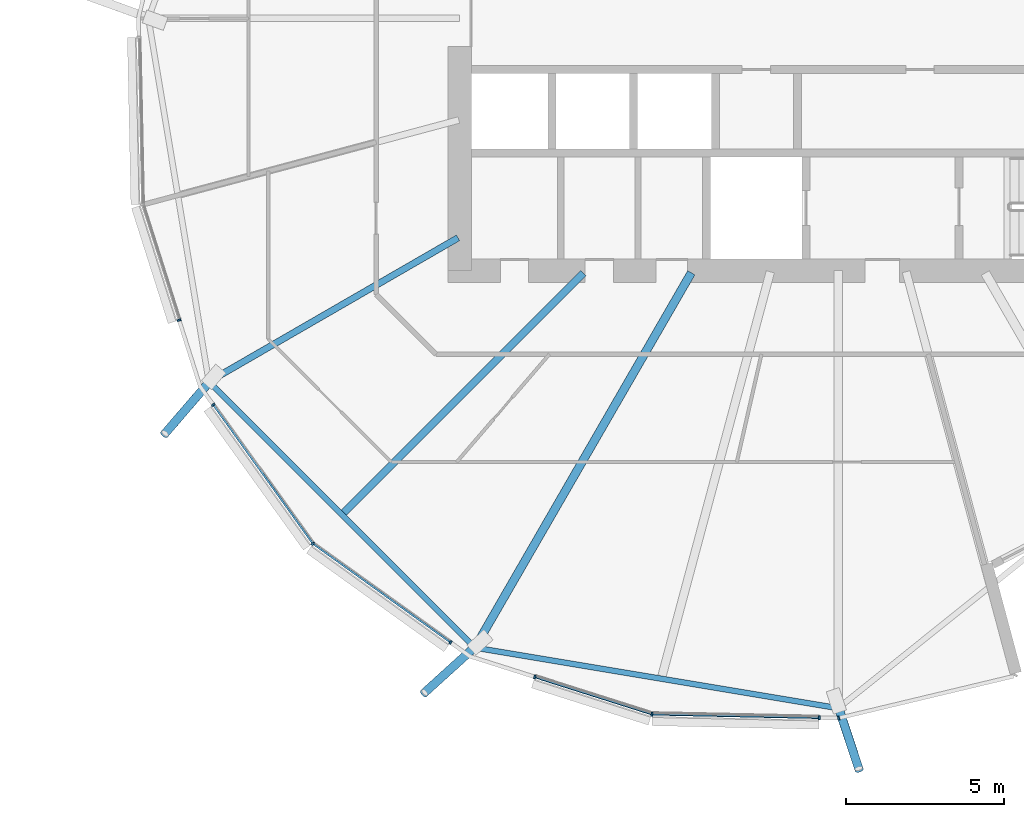
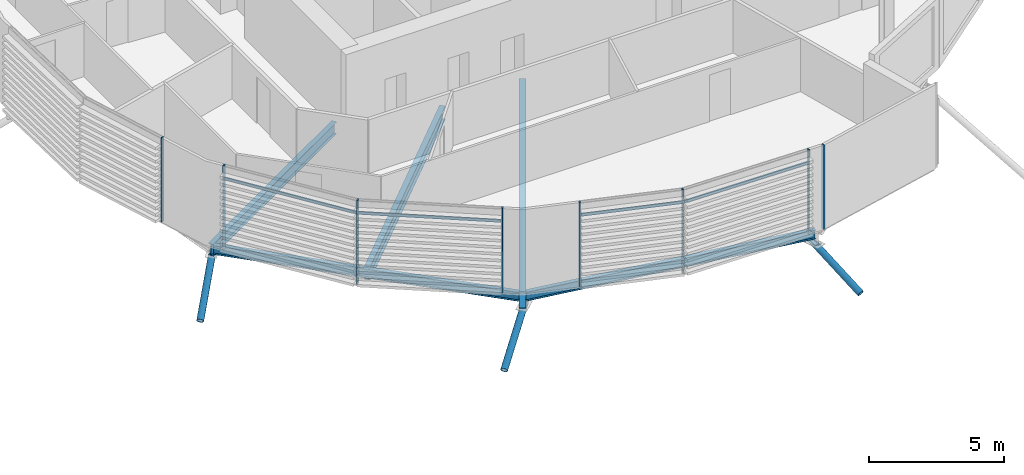
# One storey, part 11 of 39: 15 members, 5 beams, 1 element without a shape of its own.
"""IFC4 building model written with IfcOpenShell, lengths in metres."""

from ifc_helpers import new_model, si_unit, direction, frame, origin, origin_2d, place, context, subcontext, project, spatial, rectangle, hollow_circle, i_section, extrude, clip, halfspace, material, material_profile, profile_set, type_object, element, aggregate, save


model = new_model("IFC4")

# Units and contexts
model_context = context("Model", 3, precision=1e-05, world=origin(), true_north=direction((0.0, 1.0)))
body_context = subcontext(model_context, "Body", "Model", "MODEL_VIEW")
ifc_project = project(units=[si_unit("LENGTHUNIT", "METRE"), si_unit("AREAUNIT", "SQUARE_METRE"), si_unit("VOLUMEUNIT", "CUBIC_METRE"), si_unit("PLANEANGLEUNIT", "RADIAN"), si_unit("MASSUNIT", "GRAM", prefix="KILO")], contexts=[model_context])

# Site, building, storey
site_placement = place(None, origin())
site = spatial("IfcSite", under=ifc_project, at=site_placement, CompositionType="ELEMENT")
building_placement = place(site_placement, origin())
building = spatial("IfcBuilding", under=site, at=building_placement, Name="Rimbun Link Towers", CompositionType="ELEMENT")
storey_placement = place(building_placement, frame((0.0, 0.0, 96.800048828125)))
storey = spatial("IfcBuildingStorey", under=building, at=storey_placement, Name="L23", CompositionType="ELEMENT", Elevation=96.800048828125)

# Curtain wall, members
ifc_material_1 = material(Name="Aluminium 6063-T6 and low-iron glass", Category="aluminium")
curtain_wall_type = type_object("IfcCurtainWallType", Name="CW1-Z2 unitised vision wall (zone 2)", PredefinedType="NOTDEFINED", material=ifc_material_1)
curtain_wall_placement = place(storey_placement, origin())
curtain_wall = element("IfcCurtainWall", 1, at=curtain_wall_placement, inside=storey, type_object=curtain_wall_type, Name="CW1 L23 T2", PredefinedType="NOTDEFINED")
ifc_material_2 = material(Name="Aluminium 6063-T6", Category="aluminium")
ifc_material_profile_1 = material_profile(ifc_material_2, rectangle(XDim=0.1201171875, YDim=0.06005859375, at=origin_2d()), Name="MULLION 60X120")
ifc_profile_set_1 = profile_set([ifc_material_profile_1], Name="Aluminium 6063-T6")
member_type_1 = type_object("IfcMemberType", Name="CW1 mullion 60X120", PredefinedType="MULLION", material=ifc_profile_set_1)
member_1_placement = place(storey_placement, frame((10.8505859375, -9.570068359375, 0.0), z_axis=(0.0, 0.0, 1.0), x_axis=(-0.952969504125, -0.30306620433, 0.0)))
member_1 = element("IfcMember", 2, at=member_1_placement, type_object=member_type_1, Name="CW1 mullion", PredefinedType="MULLION", context=body_context, shape_type="SweptSolid", body=[
    extrude(rectangle(XDim=0.1201171875, YDim=0.06005859375, at=origin_2d()), origin(), (0.0, 0.0, 1.0), 3.800048828125),
])
member_2_placement = place(storey_placement, frame((15.094482421875, -16.655517578125, 0.0), z_axis=(0.0, 0.0, 1.0), x_axis=(-0.707106781187, -0.707106781187, 0.0)))
member_2 = element("IfcMember", 3, at=member_2_placement, type_object=member_type_1, Name="CW1 mullion", PredefinedType="MULLION", context=body_context, shape_type="SweptSolid", body=[
    extrude(rectangle(XDim=0.1201171875, YDim=0.06005859375, at=origin_2d()), origin(), (0.0, 0.0, 1.0), 3.800048828125),
])
member_3_placement = place(storey_placement, frame((11.933837890625, -12.251953125, 0.0), z_axis=(0.0, 0.0, 1.0), x_axis=(-0.812471013588, -0.583001588402, 0.0)))
member_3 = element("IfcMember", 4, at=member_3_placement, type_object=member_type_1, Name="CW1 mullion", PredefinedType="MULLION", context=body_context, shape_type="SweptSolid", body=[
    extrude(rectangle(XDim=0.1201171875, YDim=0.06005859375, at=origin_2d()), origin(), (0.0, 0.0, 1.0), 3.800048828125),
])
member_4_placement = place(storey_placement, frame((19.457275390625, -19.787109375, 0.0), z_axis=(0.0, 0.0, 1.0), x_axis=(-0.583001588402, -0.812471013588, 0.0)))
member_4 = element("IfcMember", 5, at=member_4_placement, type_object=member_type_1, Name="CW1 mullion", PredefinedType="MULLION", context=body_context, shape_type="SweptSolid", body=[
    extrude(rectangle(XDim=0.1201171875, YDim=0.06005859375, at=origin_2d()), origin(), (0.0, 0.0, 1.0), 3.800048828125),
])
member_5_placement = place(storey_placement, frame((25.843994140625, -22.06396484375, 0.0), z_axis=(0.0, 0.0, 1.0), x_axis=(-0.16374422533, -0.986502827503, 0.0)))
member_5 = element("IfcMember", 6, at=member_5_placement, type_object=member_type_1, Name="CW1 mullion", PredefinedType="MULLION", context=body_context, shape_type="SweptSolid", body=[
    extrude(rectangle(XDim=0.1201171875, YDim=0.06005859375, at=origin_2d()), origin(), (0.0, 0.0, 1.0), 3.800048828125),
])
member_6_placement = place(storey_placement, frame((22.13232421875, -20.88427734375, 0.0), z_axis=(0.0, 0.0, 1.0), x_axis=(-0.30306620433, -0.952969504125, 0.0)))
member_6 = element("IfcMember", 7, at=member_6_placement, type_object=member_type_1, Name="CW1 mullion", PredefinedType="MULLION", context=body_context, shape_type="SweptSolid", body=[
    extrude(rectangle(XDim=0.1201171875, YDim=0.06005859375, at=origin_2d()), origin(), (0.0, 0.0, 1.0), 3.800048828125),
])
member_7_placement = place(storey_placement, frame((31.14892578125, -22.17626953125, 0.0), z_axis=(0.0, 0.0, 1.0), x_axis=(-0.021059742681, -0.999778219026, 0.0)))
member_7 = element("IfcMember", 8, at=member_7_placement, type_object=member_type_1, Name="CW1 mullion", PredefinedType="MULLION", context=body_context, shape_type="SweptSolid", body=[
    extrude(rectangle(XDim=0.1201171875, YDim=0.06005859375, at=origin_2d()), origin(), (0.0, 0.0, 1.0), 3.800048828125),
])
member_8_placement = place(storey_placement, frame((31.763916015625, -22.187255859375, 0.0), z_axis=(0.0, 0.0, 1.0), x_axis=(0.232601207201, -0.972572197016, 0.0)))
member_8 = element("IfcMember", 9, at=member_8_placement, type_object=member_type_1, Name="CW1 mullion", PredefinedType="MULLION", context=body_context, shape_type="SweptSolid", body=[
    extrude(rectangle(XDim=0.1201171875, YDim=0.06005859375, at=origin_2d()), origin(), (0.0, 0.0, 1.0), 3.800048828125),
])
ifc_material_3 = material(Name="Aluminium 6063-T6", Category="aluminium")
ifc_material_profile_2 = material_profile(ifc_material_3, rectangle(XDim=0.06005859375, YDim=0.1201171875, at=origin_2d()), Name="TRANSOM 60X120")
ifc_profile_set_2 = profile_set([ifc_material_profile_2], Name="Aluminium 6063-T6")
member_type_2 = type_object("IfcMemberType", Name="CW1 transom 60X120", PredefinedType="USERDEFINED", material=ifc_profile_set_2)
member_9_placement = place(storey_placement, frame((15.072265625, -16.62255859375, 3.199951171875), z_axis=(-0.58298056367, 0.812486099809, 0.0), x_axis=(-0.812486099809, -0.58298056367, 0.0)))
member_9 = element("IfcMember", 10, at=member_9_placement, type_object=member_type_2, Name="CW1 transom", ObjectType="TRANSOM", PredefinedType="USERDEFINED", context=body_context, shape_type="SweptSolid", body=[
    extrude(rectangle(XDim=0.06005859375, YDim=0.1201171875, at=origin_2d()), origin(), (0.0, 0.0, 1.0), 5.350830078125),
])
member_10_placement = place(storey_placement, frame((19.43408203125, -19.767822265625, 3.199951171875), z_axis=(-0.812489874561, 0.582975302852, 0.0), x_axis=(-0.582975302852, -0.812489874561, 0.0)))
member_10 = element("IfcMember", 11, at=member_10_placement, type_object=member_type_2, Name="CW1 transom", ObjectType="TRANSOM", PredefinedType="USERDEFINED", context=body_context, shape_type="SweptSolid", body=[
    extrude(rectangle(XDim=0.06005859375, YDim=0.1201171875, at=origin_2d()), origin(), (0.0, 0.0, 1.0), 5.300537109375),
])
member_11_placement = place(storey_placement, frame((25.8076171875, -22.051025390625, 3.199951171875), z_axis=(-0.952957620536, 0.303103568873, 0.0), x_axis=(-0.303103568873, -0.952957620536, 0.0)))
member_11 = element("IfcMember", 12, at=member_11_placement, type_object=member_type_2, Name="CW1 transom", ObjectType="TRANSOM", PredefinedType="USERDEFINED", context=body_context, shape_type="SweptSolid", body=[
    extrude(rectangle(XDim=0.06005859375, YDim=0.1201171875, at=origin_2d()), origin(), (0.0, 0.0, 1.0), 3.825927734375),
])
member_12_placement = place(storey_placement, frame((31.118896484375, -22.173828125, 3.199951171875), z_axis=(-0.999778012438, 0.021069547819, 0.0), x_axis=(-0.021069547819, -0.999778012438, 0.0)))
member_12 = element("IfcMember", 13, at=member_12_placement, type_object=member_type_2, Name="CW1 transom", ObjectType="TRANSOM", PredefinedType="USERDEFINED", context=body_context, shape_type="SweptSolid", body=[
    extrude(rectangle(XDim=0.06005859375, YDim=0.1201171875, at=origin_2d()), origin(), (0.0, 0.0, 1.0), 5.237548828125),
])
aggregate(curtain_wall, [member_1, member_2, member_3, member_4, member_5, member_6, member_7, member_8, member_9, member_10, member_11, member_12])

# Members
ifc_material_4 = material(Name="Steel S355J2H", Category="steel")
ifc_material_profile_3 = material_profile(ifc_material_4, hollow_circle(Radius=0.136474609375, WallThickness=0.012451171875, at=origin_2d()), Name="CHS 273x12.5")
ifc_profile_set_3 = profile_set([ifc_material_profile_3], Name="Steel S355J2H")
member_type_3 = type_object("IfcMemberType", Name="Floor edge link CHS 273x12.5", PredefinedType="BRACE", material=ifc_profile_set_3)
member_13_placement = place(storey_placement, frame((11.839599609375, -11.495361328125, -0.810546875), z_axis=(-0.562837341825, -0.653887322498, -0.505613979359), x_axis=(0.757901919763, -0.652368515503, 0.0)))
element("IfcMember", 14, at=member_13_placement, inside=storey, type_object=member_type_3, Name="Floor edge link T2 L23 11", PredefinedType="BRACE", context=body_context, shape_type="Clipping", body=[
    clip(extrude(hollow_circle(Radius=0.136474609375, WallThickness=0.012451171875, at=origin_2d()), frame((0.0, 0.0, -0.485595703125)), (0.0, 0.0, 1.0), 3.083984375), halfspace(frame((0.0, 0.0, -0.228271484375), z_axis=(0.0, 0.862759818186, -0.505613979359)), False)),
])
member_14_placement = place(storey_placement, frame((20.254638671875, -19.910400390625, -1.041748046875), z_axis=(-0.65106962362, -0.589911456313, -0.477611577446), x_axis=(0.671444183673, -0.741055131695, 0.0)))
element("IfcMember", 15, at=member_14_placement, inside=storey, type_object=member_type_3, Name="Floor edge link T2 L23 13", PredefinedType="BRACE", context=body_context, shape_type="Clipping", body=[
    clip(extrude(hollow_circle(Radius=0.136474609375, WallThickness=0.012451171875, at=origin_2d()), frame((0.0, 0.0, -0.523193359375)), (0.0, 0.0, 1.0), 3.05810546875), halfspace(frame((0.0, 0.0, -0.24609375), z_axis=(0.0, 0.878571101898, -0.477611577446)), False)),
])
member_15_placement = place(storey_placement, frame((31.75, -21.822021484375, -1.042724609375), z_axis=(0.279200474346, -0.84066171322, -0.464042001388), x_axis=(0.949028209952, 0.315191143143, 0.0)))
element("IfcMember", 16, at=member_15_placement, inside=storey, type_object=member_type_3, Name="Floor edge link T2 L23 15", PredefinedType="BRACE", context=body_context, shape_type="Clipping", body=[
    clip(extrude(hollow_circle(Radius=0.136474609375, WallThickness=0.012451171875, at=origin_2d()), frame((0.0, 0.0, -0.542724609375)), (0.0, 0.0, 1.0), 2.93603515625), halfspace(frame((0.0, 0.0, -0.25537109375), z_axis=(0.0, 0.885813197547, -0.464042001388)), False)),
])

# Beams
ifc_material_5 = material(Name="Steel S355J2", Category="steel")
ifc_material_profile_4 = material_profile(ifc_material_5, i_section(OverallWidth=0.177978515625, OverallDepth=0.406494140625, WebThickness=0.0078125, FlangeThickness=0.0126953125, at=origin_2d()), Name="UB 406x178x60")
ifc_profile_set_4 = profile_set([ifc_material_profile_4], Name="Steel S355J2")
beam_type_1 = type_object("IfcBeamType", Name="UB 406x178x60", PredefinedType="BEAM", material=ifc_profile_set_4)
beam_1_placement = place(storey_placement, frame((11.87353515625, -11.59765625, -0.36328125), z_axis=(0.707106781187, -0.707106781187, 0.0), x_axis=(0.707106781187, 0.707106781187, 0.0)))
element("IfcBeam", 17, at=beam_1_placement, inside=storey, type_object=beam_type_1, Name="Edge beam T2 L23 11-13", PredefinedType="BEAM", context=body_context, shape_type="SweptSolid", body=[
    extrude(i_section(OverallWidth=0.177978515625, OverallDepth=0.406494140625, WebThickness=0.0078125, FlangeThickness=0.0126953125, at=origin_2d()), origin(), (0.0, 0.0, 1.0), 11.67822265625),
])
beam_2_placement = place(storey_placement, frame((20.37109375, -19.977294921875, -0.36328125), z_axis=(0.986419380736, -0.164246172888, 0.0), x_axis=(0.164246172888, 0.986419380736, 0.0)))
element("IfcBeam", 18, at=beam_2_placement, inside=storey, type_object=beam_type_1, Name="Edge beam T2 L23 13-15", PredefinedType="BEAM", context=body_context, shape_type="SweptSolid", body=[
    extrude(i_section(OverallWidth=0.177978515625, OverallDepth=0.406494140625, WebThickness=0.0078125, FlangeThickness=0.0126953125, at=origin_2d()), origin(), (0.0, 0.0, 1.0), 11.3994140625),
])
ifc_material_6 = material(Name="Steel S355J2", Category="steel")
ifc_material_profile_5 = material_profile(ifc_material_6, i_section(OverallWidth=0.209228515625, OverallDepth=0.533203125, WebThickness=0.010009765625, FlangeThickness=0.015625, at=origin_2d()), Name="UB 533x210x92")
ifc_profile_set_5 = profile_set([ifc_material_profile_5], Name="Steel S355J2")
beam_type_2 = type_object("IfcBeamType", Name="UB 533x210x92", PredefinedType="BEAM", material=ifc_profile_set_5)
beam_3_placement = place(storey_placement, frame((19.69677734375, -6.958984375, -0.426513671875), z_axis=(-0.866021140091, -0.50000738486, 0.0), x_axis=(0.50000738486, -0.866021140091, 0.0)))
element("IfcBeam", 19, at=beam_3_placement, inside=storey, type_object=beam_type_2, Name="Radial beam T2 L23 11", PredefinedType="BEAM", context=body_context, shape_type="SweptSolid", body=[
    extrude(i_section(OverallWidth=0.209228515625, OverallDepth=0.533203125, WebThickness=0.010009765625, FlangeThickness=0.015625, at=origin_2d()), origin(), (0.0, 0.0, 1.0), 9.122802734375),
])
ifc_material_7 = material(Name="Steel S355J2", Category="steel")
ifc_material_profile_6 = material_profile(ifc_material_7, i_section(OverallWidth=0.2275390625, OverallDepth=0.6025390625, WebThickness=0.010498046875, FlangeThickness=0.014892578125, at=origin_2d()), Name="UB 610x229x101")
ifc_profile_set_6 = profile_set([ifc_material_profile_6], Name="Steel S355J2")
beam_type_3 = type_object("IfcBeamType", Name="UB 610x229x101", PredefinedType="BEAM", material=ifc_profile_set_6)
beam_4_placement = place(storey_placement, frame((23.668701171875, -8.081298828125, -0.46142578125), z_axis=(-0.707106781187, -0.707106781187, 0.0), x_axis=(0.707106781187, -0.707106781187, 0.0)))
element("IfcBeam", 20, at=beam_4_placement, inside=storey, type_object=beam_type_3, Name="Radial beam T2 L23 12", PredefinedType="BEAM", context=body_context, shape_type="SweptSolid", body=[
    extrude(i_section(OverallWidth=0.2275390625, OverallDepth=0.6025390625, WebThickness=0.010498046875, FlangeThickness=0.014892578125, at=origin_2d()), origin(), (0.0, 0.0, 1.0), 10.737060546875),
])
ifc_material_8 = material(Name="Steel S355J2", Category="steel")
ifc_material_profile_7 = material_profile(ifc_material_8, i_section(OverallWidth=0.2666015625, OverallDepth=0.76220703125, WebThickness=0.014404296875, FlangeThickness=0.021484375, at=origin_2d()), Name="UB 762x267x173")
ifc_profile_set_7 = profile_set([ifc_material_profile_7], Name="Steel S355J2")
beam_type_4 = type_object("IfcBeamType", Name="UB 762x267x173", PredefinedType="BEAM", material=ifc_profile_set_7)
beam_5_placement = place(storey_placement, frame((27.09228515625, -8.0673828125, -0.541259765625), z_axis=(-0.500007303237, -0.866021187218, 0.0), x_axis=(0.866021187218, -0.500007303237, 0.0)))
element("IfcBeam", 21, at=beam_5_placement, inside=storey, type_object=beam_type_4, Name="Radial beam T2 L23 13", PredefinedType="BEAM", context=body_context, shape_type="SweptSolid", body=[
    extrude(i_section(OverallWidth=0.2666015625, OverallDepth=0.76220703125, WebThickness=0.014404296875, FlangeThickness=0.021484375, at=origin_2d()), origin(), (0.0, 0.0, 1.0), 13.725341796875),
])

save(model, "model.ifc")
